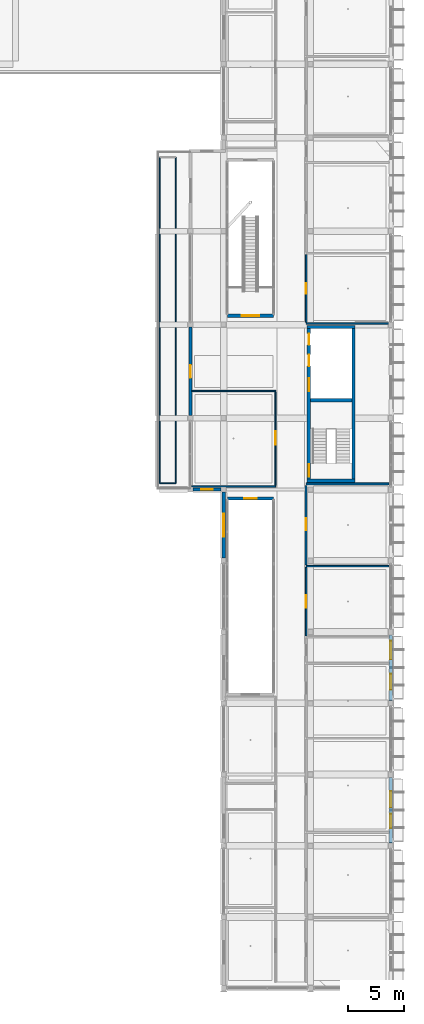
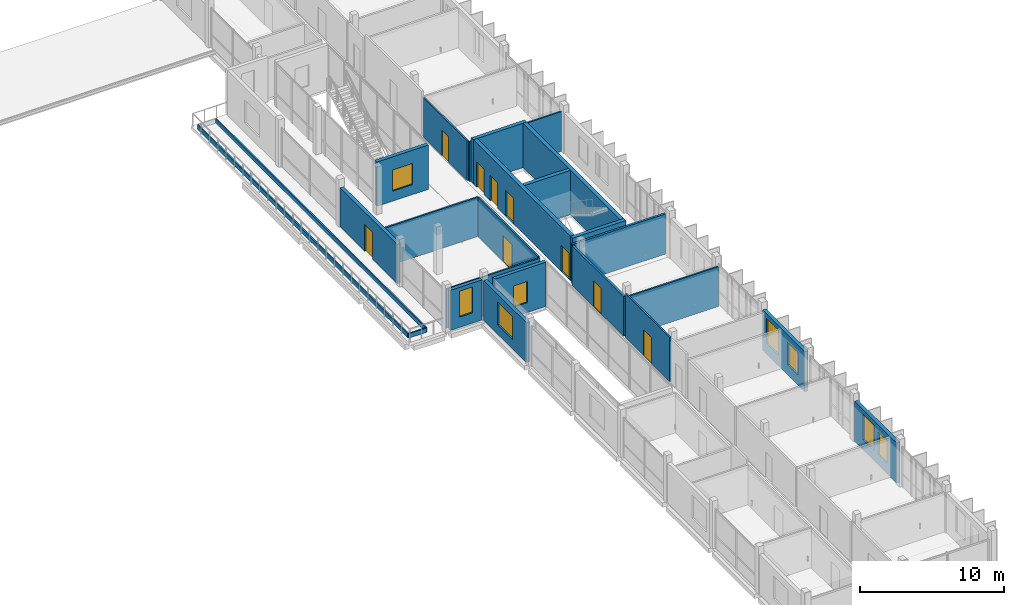
# One storey, part 60 of 86: 24 walls, 9 doors, 8 windows, 17 openings.
"""IFC4 building model written with IfcOpenShell, lengths in metres."""

import ifcopenshell
import ifcopenshell.guid

model = None  # the IFC model being written
_history = None  # IfcOwnerHistory: only IFC2X3 demands one
_inside = {}  # id of a spatial element -> (the spatial element, [elements in it])
_under = {}  # id of a project, library or spatial element -> (it, [spatial elements below it])
_declared = {}  # id of a project -> (the project, [libraries it declares])
_typed = {}  # id of a type object -> (the type object, [elements of that type])
_made_of = {}  # id of a material, layer set ... -> (it, [elements and type objects made of it])


def new_model(schema):
    """Start an empty IFC model of exactly this schema.

    Asked for "IFC4X3", IfcOpenShell would pick the latest addendum, in which some entities
    have other attributes; the version numbers below select the first issue.
    IFC2X3 requires an IfcOwnerHistory on every rooted entity: one is made here for all.
    """
    global model, _history
    if schema == "IFC4X3":
        model = ifcopenshell.file(schema_version=(4, 3, 0, 0))
    else:
        model = ifcopenshell.file(schema=schema)
    _inside.clear()
    _under.clear()
    _declared.clear()
    _typed.clear()
    _made_of.clear()
    _history = None
    if model.schema == "IFC2X3":
        org = make("IfcOrganization", Name="unknown")
        user = make(
            "IfcPersonAndOrganization",
            ThePerson=make("IfcPerson", FamilyName="unknown"),
            TheOrganization=org,
        )
        app = make(
            "IfcApplication",
            ApplicationDeveloper=org,
            Version="unknown",
            ApplicationFullName="unknown",
            ApplicationIdentifier="unknown",
        )
        _history = make(
            "IfcOwnerHistory",
            OwningUser=user,
            OwningApplication=app,
            ChangeAction="ADDED",
            CreationDate=0,
        )
    return model


def make(cls, **values):
    """One entity of the class cls with the attributes given. An attribute that is None is left unset."""
    return model.create_entity(
        cls, **{name: value for name, value in values.items() if value is not None}
    )


def rooted(cls, **values):
    """An entity with a GlobalId (a new one), such as an element, a storey or a relation."""
    return make(cls, GlobalId=ifcopenshell.guid.new(), OwnerHistory=_history, **values)


def si_unit(unit_type, name, prefix=None):
    """IfcSIUnit, for example si_unit("LENGTHUNIT", "METRE", prefix="MILLI")."""
    return make("IfcSIUnit", UnitType=unit_type, Prefix=prefix, Name=name)


def derived_unit(unit_type, elements):
    """IfcDerivedUnit: a product of units, each with its exponent."""
    return make(
        "IfcDerivedUnit",
        Elements=[
            make("IfcDerivedUnitElement", Unit=unit, Exponent=power)
            for unit, power in elements
        ],
        UnitType=unit_type,
    )


def assignment(units):
    """IfcUnitAssignment: the units of a project."""
    return None if units is None else make("IfcUnitAssignment", Units=units)


def point(xyz):
    """IfcCartesianPoint."""
    return None if xyz is None else make("IfcCartesianPoint", Coordinates=xyz)


def direction(xyz):
    """IfcDirection."""
    return None if xyz is None else make("IfcDirection", DirectionRatios=xyz)


def frame(location, z_axis=None, x_axis=None):
    """IfcAxis2Placement3D, a coordinate frame: its origin and axes. An axis left out is left unset."""
    return make(
        "IfcAxis2Placement3D",
        Location=point(location),
        Axis=direction(z_axis),
        RefDirection=direction(x_axis),
    )


def frame_2d(location, x_axis=None):
    """IfcAxis2Placement2D, a coordinate frame in the plane: its origin and x axis."""
    return make(
        "IfcAxis2Placement2D", Location=point(location), RefDirection=direction(x_axis)
    )


def origin():
    """The frame at (0, 0, 0) with its axes left unset."""
    return frame((0.0, 0.0, 0.0))


def origin_with_axes():
    """The frame at (0, 0, 0) with the z axis (0, 0, 1) and the x axis (1, 0, 0) written out."""
    return frame((0.0, 0.0, 0.0), z_axis=(0.0, 0.0, 1.0), x_axis=(1.0, 0.0, 0.0))


def place(relative_to, where):
    """IfcLocalPlacement: puts the frame where relative to a parent placement (None: the world)."""
    return make(
        "IfcLocalPlacement", PlacementRelTo=relative_to, RelativePlacement=where
    )


def context(
    kind, dimensions, precision=None, world=None, true_north=None, identifier=None
):
    """IfcGeometricRepresentationContext, for example the 3D "Model" context."""
    return make(
        "IfcGeometricRepresentationContext",
        ContextIdentifier=identifier,
        ContextType=kind,
        CoordinateSpaceDimension=dimensions,
        Precision=precision,
        WorldCoordinateSystem=world,
        TrueNorth=true_north,
    )


def subcontext(parent, identifier, kind, view, scale=None):
    """IfcGeometricRepresentationSubContext, for example "Body" below "Model"."""
    return make(
        "IfcGeometricRepresentationSubContext",
        ContextIdentifier=identifier,
        ContextType=kind,
        ParentContext=parent,
        TargetScale=scale,
        TargetView=view,
    )


def project(units=None, contexts=None):
    """IfcProject with its units and contexts."""
    return rooted(
        "IfcProject",
        Name="project",
        RepresentationContexts=contexts,
        UnitsInContext=assignment(units),
    )


def spatial(cls, under=None, at=None, **own):
    """A site, building, storey or space (cls), placed at a placement, below another one or the project."""
    s = rooted(cls, ObjectPlacement=at, **own)
    if under is not None:
        _under.setdefault(under.id(), (under, []))[1].append(s)
    return s


def profile(cls, at=None, kind="AREA", **sizes):
    """A parametric profile (cls). Its sizes go by their IFC names, for example OverallWidth=200.0."""
    return make(cls, ProfileType=kind, Position=at, **sizes)


def rectangle(**sizes):
    """IfcRectangleProfileDef."""
    return profile("IfcRectangleProfileDef", **sizes)


def extrude(swept, where, along, depth):
    """IfcExtrudedAreaSolid: the profile swept, set in the frame where, extruded along a direction by depth."""
    return make(
        "IfcExtrudedAreaSolid",
        SweptArea=swept,
        Position=where,
        ExtrudedDirection=direction(along),
        Depth=depth,
    )


def shape(context_of_items, identifier, shape_type, items):
    """IfcShapeRepresentation: the items that make up one representation, for example the "Body"."""
    return make(
        "IfcShapeRepresentation",
        ContextOfItems=context_of_items,
        RepresentationIdentifier=identifier,
        RepresentationType=shape_type,
        Items=items,
    )


def material(Name=None, Category=None):
    """IfcMaterial."""
    return make("IfcMaterial", Name=Name, Category=Category)


def layer(
    of_material, thickness, ventilated=None, Name=None, Category=None, Priority=None
):
    """IfcMaterialLayer: one layer of a wall or slab, of a material (None: an air gap)."""
    return make(
        "IfcMaterialLayer",
        Material=of_material,
        LayerThickness=thickness,
        IsVentilated=ventilated,
        Name=Name,
        Category=Category,
        Priority=Priority,
    )


def layer_set(layers, Name=None):
    """IfcMaterialLayerSet."""
    return make("IfcMaterialLayerSet", MaterialLayers=layers, LayerSetName=Name)


def made_of(thing, what):
    """Note that an element or type object is made of a material, layer set ...; save() writes the relation."""
    if what is not None:
        _made_of.setdefault(what.id(), (what, []))[1].append(thing)
    return thing


def type_object(cls, material=None, **own):
    """A type object (cls), such as IfcWallType, which elements share."""
    return made_of(rooted(cls, **own), material)


def element(
    cls,
    number,
    at=None,
    inside=None,
    cuts=None,
    type_object=None,
    material=None,
    context=None,
    identifier="Body",
    shape_type=None,
    held_by="IfcProductDefinitionShape",
    body=None,
    shapes=None,
    **own,
):
    """One element of the class cls, such as IfcWall. Its Tag is "e" and its number.

    at: its placement. inside: the storey or other place that contains it. cuts: it is an
    opening in that element (IfcRelVoidsElement). A single representation is given by context,
    identifier, shape_type and body (its items); several are given by shapes. held_by: the class
    of the entity that holds the representations. save() writes the other relations.
    """
    e = rooted(cls, Tag="e%d" % number, ObjectPlacement=at, **own)
    if body is not None:
        shapes = [shape(context, identifier, shape_type, body)]
    if shapes is not None:
        e.Representation = make(held_by, Representations=shapes)
    if inside is not None:
        _inside.setdefault(inside.id(), (inside, []))[1].append(e)
    if cuts is not None:
        rooted(
            "IfcRelVoidsElement", RelatingBuildingElement=cuts, RelatedOpeningElement=e
        )
    if type_object is not None:
        _typed.setdefault(type_object.id(), (type_object, []))[1].append(e)
    return made_of(e, material)


def fill(opening, filler):
    """IfcRelFillsElement: the door or window that sits in an opening."""
    return rooted(
        "IfcRelFillsElement",
        RelatingOpeningElement=opening,
        RelatedBuildingElement=filler,
    )


def aggregate(whole, parts):
    """IfcRelAggregates: a whole, such as a stair, and the parts it consists of."""
    return rooted("IfcRelAggregates", RelatingObject=whole, RelatedObjects=parts)


def save(model, path):
    """Write the relations noted so far, then the file.

    IfcRelAggregates (storeys below a building ...), IfcRelContainedInSpatialStructure (elements
    in a storey), IfcRelDefinesByType, IfcRelAssociatesMaterial and IfcRelDeclares: one each for
    every whole, place, type object, material and project.
    """
    for whole, parts in _under.values():
        aggregate(whole, parts)
    for where, things in _inside.values():
        rooted(
            "IfcRelContainedInSpatialStructure",
            RelatedElements=things,
            RelatingStructure=where,
        )
    for kind, things in _typed.values():
        rooted("IfcRelDefinesByType", RelatedObjects=things, RelatingType=kind)
    for what, things in _made_of.values():
        rooted("IfcRelAssociatesMaterial", RelatedObjects=things, RelatingMaterial=what)
    for by, libraries in _declared.values():
        rooted("IfcRelDeclares", RelatingContext=by, RelatedDefinitions=libraries)
    model.write(path)


model = new_model("IFC4")

# Units and contexts
model_context = context("Model", 3, precision=1e-05, world=origin(), true_north=direction((0.0, 1.0)))
body_context = subcontext(model_context, "Body", "Model", "MODEL_VIEW")
ifc_project = project(units=[si_unit("LENGTHUNIT", "METRE"), si_unit("AREAUNIT", "SQUARE_METRE"), si_unit("VOLUMEUNIT", "CUBIC_METRE"), si_unit("PLANEANGLEUNIT", "RADIAN"), si_unit("MASSUNIT", "GRAM", prefix="KILO"), derived_unit("THERMALTRANSMITTANCEUNIT", [(si_unit("POWERUNIT", "WATT"), 1), (si_unit("LENGTHUNIT", "METRE"), -2), (si_unit("THERMODYNAMICTEMPERATUREUNIT", "KELVIN"), -1)])], contexts=[model_context])

# Site, building, storey
site_placement = place(None, origin())
site = spatial("IfcSite", under=ifc_project, at=site_placement, CompositionType="ELEMENT")
building_placement = place(site_placement, origin())
building = spatial("IfcBuilding", under=site, at=building_placement, Name="Braskholm Square Health Centre", CompositionType="ELEMENT")
storey_placement = place(building_placement, frame((0.0, 0.0, 13.5)))
storey = spatial("IfcBuildingStorey", under=building, at=storey_placement, Name="L04", CompositionType="ELEMENT", Elevation=13.5)

# Wall, opening, door
ifc_material_1 = material(Name="Fire-rated gypsum board barrier")
ifc_layer_1 = layer(ifc_material_1, 0.175048828125)
ifc_layer_set_1 = layer_set([ifc_layer_1], Name="Fire-rated gypsum board barrier")
wall_type_1 = type_object("IfcWallType", Name="AmbulatoryFirePartition175", PredefinedType="PARTITIONING", material=ifc_layer_set_1)
wall_1_placement = place(storey_placement, frame((156.199951171875, 42.239990234375, 0.0), z_axis=(0.0, 0.0, 1.0), x_axis=(0.0, 1.0, 0.0)))
wall_1 = element("IfcWall", 1, at=wall_1_placement, inside=storey, type_object=wall_type_1, Name="Interior partition PWALL-L04-0437", PredefinedType="PARTITIONING", context=body_context, shape_type="SweptSolid", body=[
    extrude(rectangle(XDim=7.139892578125, YDim=0.175048828125, at=frame_2d((3.56982421875, 0.0))), origin(), (0.0, 0.0, 1.0), 3.364990234375),
])
opening_1_placement = place(wall_1_placement, frame((3.114990234375, 0.0, 0.0)))
opening_1 = element("IfcOpeningElement", 2, at=opening_1_placement, cuts=wall_1, Name="Opening D-18", PredefinedType="OPENING", context=body_context, shape_type="SweptSolid", body=[
    extrude(rectangle(XDim=1.06005859375, YDim=2.199951171875, at=frame_2d((0.530029296875, 1.10009765625))), frame((0.0, 0.09765625, 0.0), z_axis=(0.0, -1.0, 0.0), x_axis=(1.0, 0.0, 0.0)), (0.0, 0.0, 1.0), 0.195068359375),
])
ifc_material_2 = material(Name="Architectural bronze anodised aluminium", Category="aluminium")
door_type_1 = type_object("IfcDoorType", Name="DoorFirePartitionSingle1060x2200", OperationType="NOTDEFINED", PredefinedType="DOOR", material=ifc_material_2)
door_1_placement = place(opening_1_placement, frame((1.06005859375, 0.0, 0.0), z_axis=(0.0, 0.0, 1.0), x_axis=(-1.0, 0.0, 0.0)))
door_1 = element("IfcDoor", 3, at=door_1_placement, inside=storey, type_object=door_type_1, Name="Interior door 0206 L04", OperationType="SINGLE_SWING_RIGHT", OverallHeight=2.199951171875, OverallWidth=1.06005859375, PredefinedType="DOOR", context=body_context, shape_type="SweptSolid", body=[
    extrude(rectangle(XDim=1.06005859375, YDim=2.199951171875, at=frame_2d((0.530029296875, 1.10009765625))), frame((0.0, 0.02490234375, 0.0), z_axis=(0.0, -1.0, 0.0), x_axis=(1.0, 0.0, 0.0)), (0.0, 0.0, 1.0), 0.050048828125),
])
fill(opening_1, door_1)

# Wall
wall_2_placement = place(storey_placement, frame((156.199951171875, 49.5, 0.0), z_axis=(0.0, 0.0, 1.0), x_axis=(1.0, 0.0, 0.0)))
element("IfcWall", 4, at=wall_2_placement, inside=storey, type_object=wall_type_1, Name="Interior partition PWALL-L04-0438", PredefinedType="PARTITIONING", context=body_context, shape_type="SweptSolid", body=[
    extrude(rectangle(XDim=7.4599609375, YDim=0.175048828125, at=frame_2d((3.72998046875, 0.0))), origin(), (0.0, 0.0, 1.0), 3.4150390625),
])

# Wall, opening, door
ifc_material_3 = material(Name="Acoustic gypsum board partition")
ifc_layer_2 = layer(ifc_material_3, 0.125)
ifc_layer_set_2 = layer_set([ifc_layer_2], Name="Acoustic gypsum board partition")
wall_type_2 = type_object("IfcWallType", Name="ClinicalExamPartition125", PredefinedType="PARTITIONING", material=ifc_layer_set_2)
wall_3_placement = place(storey_placement, frame((156.199951171875, 35.860107421875, 0.0), z_axis=(0.0, 0.0, 1.0), x_axis=(0.0, 1.0, 0.0)))
wall_3 = element("IfcWall", 5, at=wall_3_placement, inside=storey, type_object=wall_type_2, Name="Interior partition PWALL-L04-0435", PredefinedType="PARTITIONING", context=body_context, shape_type="SweptSolid", body=[
    extrude(rectangle(XDim=6.139892578125, YDim=0.125, at=frame_2d((3.06982421875, 0.0))), origin(), (0.0, 0.0, 1.0), 3.764892578125),
])
opening_2_placement = place(wall_3_placement, frame((2.510009765625, 0.0, 0.0)))
opening_2 = element("IfcOpeningElement", 6, at=opening_2_placement, cuts=wall_3, Name="Opening D-03", PredefinedType="OPENING", context=body_context, shape_type="SweptSolid", body=[
    extrude(rectangle(XDim=1.1201171875, YDim=2.199951171875, at=frame_2d((0.56005859375, 1.10009765625))), frame((0.0, 0.072509765625, 0.0), z_axis=(0.0, -1.0, 0.0), x_axis=(1.0, 0.0, 0.0)), (0.0, 0.0, 1.0), 0.14501953125),
])
door_type_2 = type_object("IfcDoorType", Name="DoorProcedure1120x2200", OperationType="NOTDEFINED", PredefinedType="DOOR", material=ifc_material_2)
door_2_placement = place(opening_2_placement, frame((1.1201171875, 0.0, 0.0), z_axis=(0.0, 0.0, 1.0), x_axis=(-1.0, 0.0, 0.0)))
door_2 = element("IfcDoor", 7, at=door_2_placement, inside=storey, type_object=door_type_2, Name="Interior door 0205 L04", OperationType="SINGLE_SWING_LEFT", OverallHeight=2.199951171875, OverallWidth=1.1201171875, PredefinedType="DOOR", context=body_context, shape_type="SweptSolid", body=[
    extrude(rectangle(XDim=1.1201171875, YDim=2.199951171875, at=frame_2d((0.56005859375, 1.10009765625))), frame((0.0, 0.02490234375, 0.0), z_axis=(0.0, -1.0, 0.0), x_axis=(1.0, 0.0, 0.0)), (0.0, 0.0, 1.0), 0.050048828125),
])
fill(opening_2, door_2)

# Wall
wall_4_placement = place(storey_placement, frame((156.199951171875, 42.1201171875, 0.0), z_axis=(0.0, 0.0, 1.0), x_axis=(1.0, 0.0, 0.0)))
element("IfcWall", 8, at=wall_4_placement, inside=storey, type_object=wall_type_2, Name="Interior partition PWALL-L04-0436", PredefinedType="PARTITIONING", context=body_context, shape_type="SweptSolid", body=[
    extrude(rectangle(XDim=7.4599609375, YDim=0.125, at=frame_2d((3.72998046875, 0.0))), origin(), (0.0, 0.0, 1.0), 3.385009765625),
])

# Wall, opening, door
wall_5_placement = place(storey_placement, frame((156.199951171875, 64.02001953125, 0.0), z_axis=(0.0, 0.0, 1.0), x_axis=(0.0, 1.0, 0.0)))
wall_5 = element("IfcWall", 9, at=wall_5_placement, inside=storey, type_object=wall_type_2, Name="Interior partition PWALL-L04-0439", PredefinedType="PARTITIONING", context=body_context, shape_type="SweptSolid", body=[
    extrude(rectangle(XDim=6.080078125, YDim=0.125, at=frame_2d((3.0400390625, 0.0))), origin(), (0.0, 0.0, 1.0), 3.364990234375),
])
opening_3_placement = place(wall_5_placement, frame((2.580078125, 0.0, 0.0)))
opening_3 = element("IfcOpeningElement", 10, at=opening_3_placement, cuts=wall_5, Name="Opening D-01", PredefinedType="OPENING", context=body_context, shape_type="SweptSolid", body=[
    extrude(rectangle(XDim=0.919921875, YDim=2.14990234375, at=frame_2d((0.4599609375, 1.074951171875))), frame((0.0, 0.072509765625, 0.0), z_axis=(0.0, -1.0, 0.0), x_axis=(1.0, 0.0, 0.0)), (0.0, 0.0, 1.0), 0.14501953125),
])
door_type_3 = type_object("IfcDoorType", Name="DoorConsultSingle920x2150", OperationType="NOTDEFINED", PredefinedType="DOOR", material=ifc_material_2)
door_3_placement = place(opening_3_placement, frame((0.919921875, 0.0, 0.0), z_axis=(0.0, 0.0, 1.0), x_axis=(-1.0, 0.0, 0.0)))
door_3 = element("IfcDoor", 11, at=door_3_placement, inside=storey, type_object=door_type_3, Name="Interior door 0207 L04", OperationType="SINGLE_SWING_LEFT", OverallHeight=2.14990234375, OverallWidth=0.919921875, PredefinedType="DOOR", context=body_context, shape_type="SweptSolid", body=[
    extrude(rectangle(XDim=0.919921875, YDim=2.14990234375, at=frame_2d((0.4599609375, 1.074951171875))), frame((0.0, 0.02490234375, 0.0), z_axis=(0.0, -1.0, 0.0), x_axis=(1.0, 0.0, 0.0)), (0.0, 0.0, 1.0), 0.050048828125),
])
fill(opening_3, door_3)

# Wall
wall_6_placement = place(storey_placement, frame((156.199951171875, 63.89990234375, 0.0), z_axis=(0.0, 0.0, 1.0), x_axis=(1.0, 0.0, 0.0)))
element("IfcWall", 12, at=wall_6_placement, inside=storey, type_object=wall_type_2, Name="Interior partition PWALL-L04-0440", PredefinedType="PARTITIONING", context=body_context, shape_type="SweptSolid", body=[
    extrude(rectangle(XDim=7.4599609375, YDim=0.125, at=frame_2d((3.72998046875, 0.0))), origin(), (0.0, 0.0, 1.0), 3.364990234375),
])

# Wall, opening, door
wall_7_placement = place(storey_placement, frame((153.449951171875, 49.39990234375, 0.0), z_axis=(0.0, 0.0, 1.0), x_axis=(0.0, 1.0, 0.0)))
wall_7 = element("IfcWall", 13, at=wall_7_placement, inside=storey, type_object=wall_type_2, Name="Interior partition PWALL-L04-0463", PredefinedType="PARTITIONING", context=body_context, shape_type="SweptSolid", body=[
    extrude(rectangle(XDim=8.330078125, YDim=0.125, at=frame_2d((4.1650390625, 0.0))), origin(), (0.0, 0.0, 1.0), 3.364990234375),
])
opening_4_placement = place(wall_7_placement, frame((3.632080078125, 0.0, 0.0)))
opening_4 = element("IfcOpeningElement", 14, at=opening_4_placement, cuts=wall_7, Name="Opening D-04", PredefinedType="OPENING", context=body_context, shape_type="SweptSolid", body=[
    extrude(rectangle(XDim=1.219970703125, YDim=2.199951171875, at=frame_2d((0.60986328125, 1.10009765625))), frame((0.0, 0.072509765625, 0.0), z_axis=(0.0, -1.0, 0.0), x_axis=(1.0, 0.0, 0.0)), (0.0, 0.0, 1.0), 0.14501953125),
])
door_type_4 = type_object("IfcDoorType", Name="DoorBariatricExam1220x2200", OperationType="NOTDEFINED", PredefinedType="DOOR", material=ifc_material_2)
door_4_placement = place(opening_4_placement, origin_with_axes())
door_4 = element("IfcDoor", 15, at=door_4_placement, inside=storey, type_object=door_type_4, Name="Interior door 0219 L04", OperationType="SINGLE_SWING_LEFT", OverallHeight=2.199951171875, OverallWidth=1.219970703125, PredefinedType="DOOR", context=body_context, shape_type="SweptSolid", body=[
    extrude(rectangle(XDim=1.219970703125, YDim=2.199951171875, at=frame_2d((0.60986328125, 1.10009765625))), frame((0.0, 0.02490234375, 0.0), z_axis=(0.0, -1.0, 0.0), x_axis=(1.0, 0.0, 0.0)), (0.0, 0.0, 1.0), 0.050048828125),
])
fill(opening_4, door_4)

# Walls
for number, where, z_axis, x_axis, name in (
    (16, (145.93994140625, 49.280029296875, 0.0), (0.0, 0.0, 1.0), (1.0, 0.0, 0.0), "Interior partition PWALL-L04-0464"),
    (17, (145.93994140625, 57.85009765625, 0.0), (0.0, 0.0, 1.0), (1.0, 0.0, 0.0), "Interior partition PWALL-L04-0465"),
):
    element("IfcWall", number, at=place(storey_placement, frame(where, z_axis=z_axis, x_axis=x_axis)), inside=storey, type_object=wall_type_2, Name=name, PredefinedType="PARTITIONING", context=body_context, shape_type="SweptSolid", body=[
        extrude(rectangle(XDim=7.510009765625, YDim=0.125, at=frame_2d((3.7548828125, 0.0))), origin(), (0.0, 0.0, 1.0), 3.3349609375),
    ])

# Wall, openings, windows
ifc_material_4 = material(Name="Precast concrete C40/50 architectural white", Category="concrete")
ifc_layer_3 = layer(ifc_material_4, 0.280029296875)
ifc_layer_set_3 = layer_set([ifc_layer_3], Name="Precast concrete C40/50 architectural white")
wall_type_3 = type_object("IfcWallType", Name="ExteriorPrecastSpandrelWall280", PredefinedType="SOLIDWALL", material=ifc_layer_set_3)
wall_8_placement = place(storey_placement, frame((163.800048828125, 17.261962890625, 0.0), z_axis=(0.0, 0.0, 1.0), x_axis=(0.0, 1.0, 0.0)))
wall_8 = element("IfcWall", 18, at=wall_8_placement, inside=storey, type_object=wall_type_3, Name="Exterior wall EWALL-L04-0079", PredefinedType="SOLIDWALL", context=body_context, shape_type="SweptSolid", body=[
    extrude(rectangle(XDim=5.8759765625, YDim=0.280029296875, at=frame_2d((2.93798828125, 0.0))), origin(), (0.0, 0.0, 1.0), 3.419921875),
])
opening_5_placement = place(wall_8_placement, frame((1.319091796875, 0.0, 0.8798828125)))
opening_5 = element("IfcOpeningElement", 19, at=opening_5_placement, cuts=wall_8, Name="Opening WN-35", PredefinedType="OPENING", context=body_context, shape_type="SweptSolid", body=[
    extrude(rectangle(XDim=1.280029296875, YDim=1.949951171875, at=frame_2d((0.64013671875, 0.97509765625))), frame((0.0, 0.14990234375, 0.0), z_axis=(0.0, -1.0, 0.0), x_axis=(1.0, 0.0, 0.0)), (0.0, 0.0, 1.0), 0.300048828125),
])
opening_6_placement = place(wall_8_placement, frame((3.177001953125, 0.0, 0.8798828125)))
opening_6 = element("IfcOpeningElement", 20, at=opening_6_placement, cuts=wall_8, Name="Opening WN-40", PredefinedType="OPENING", context=body_context, shape_type="SweptSolid", body=[
    extrude(rectangle(XDim=1.47998046875, YDim=2.14990234375, at=frame_2d((0.739990234375, 1.074951171875))), frame((0.0, 0.14990234375, 0.0), z_axis=(0.0, -1.0, 0.0), x_axis=(1.0, 0.0, 0.0)), (0.0, 0.0, 1.0), 0.300048828125),
])
ifc_material_5 = material(Name="Low-E triple insulating glass (VLT 0.64)", Category="glass")
window_type_1 = type_object("IfcWindowType", Name="WinArtDecoMed1280x1950", PartitioningType="SINGLE_PANEL", PredefinedType="WINDOW", material=ifc_material_5)
window_1_placement = place(opening_5_placement, origin_with_axes())
window_1 = element("IfcWindow", 21, at=window_1_placement, inside=storey, type_object=window_type_1, Name="Exterior window 0139 L04", OverallHeight=1.949951171875, OverallWidth=1.280029296875, PartitioningType="SINGLE_PANEL", PredefinedType="WINDOW", context=body_context, shape_type="SweptSolid", body=[
    extrude(rectangle(XDim=1.280029296875, YDim=1.949951171875, at=frame_2d((0.64013671875, 0.97509765625))), frame((0.0, 0.030029296875, 0.0), z_axis=(0.0, -1.0, 0.0), x_axis=(1.0, 0.0, 0.0)), (0.0, 0.0, 1.0), 0.06005859375),
])
fill(opening_5, window_1)
window_type_2 = type_object("IfcWindowType", Name="WinArtDecoTall1480x2150", PartitioningType="SINGLE_PANEL", PredefinedType="WINDOW", material=ifc_material_5)
window_2_placement = place(opening_6_placement, origin_with_axes())
window_2 = element("IfcWindow", 22, at=window_2_placement, inside=storey, type_object=window_type_2, Name="Exterior window 0140 L04", OverallHeight=2.14990234375, OverallWidth=1.47998046875, PartitioningType="SINGLE_PANEL", PredefinedType="WINDOW", context=body_context, shape_type="SweptSolid", body=[
    extrude(rectangle(XDim=1.47998046875, YDim=2.14990234375, at=frame_2d((0.739990234375, 1.074951171875))), frame((0.0, 0.030029296875, 0.0), z_axis=(0.0, -1.0, 0.0), x_axis=(1.0, 0.0, 0.0)), (0.0, 0.0, 1.0), 0.06005859375),
])
fill(opening_6, window_2)

wall_9_placement = place(storey_placement, frame((163.800048828125, 30.06201171875, 0.0), z_axis=(0.0, 0.0, 1.0), x_axis=(0.0, 1.0, 0.0)))
wall_9 = element("IfcWall", 23, at=wall_9_placement, inside=storey, type_object=wall_type_3, Name="Exterior wall EWALL-L04-0080", PredefinedType="SOLIDWALL", context=body_context, shape_type="SweptSolid", body=[
    extrude(rectangle(XDim=5.8759765625, YDim=0.280029296875, at=frame_2d((2.93798828125, 0.0))), origin(), (0.0, 0.0, 1.0), 3.419921875),
])
opening_7_placement = place(wall_9_placement, frame((0.967041015625, 0.0, 0.8798828125)))
opening_7 = element("IfcOpeningElement", 24, at=opening_7_placement, cuts=wall_9, Name="Opening WN-36", PredefinedType="OPENING", context=body_context, shape_type="SweptSolid", body=[
    extrude(rectangle(XDim=1.419921875, YDim=1.89990234375, at=frame_2d((0.7099609375, 0.949951171875))), frame((0.0, 0.14990234375, 0.0), z_axis=(0.0, -1.0, 0.0), x_axis=(1.0, 0.0, 0.0)), (0.0, 0.0, 1.0), 0.300048828125),
])
opening_8_placement = place(wall_9_placement, frame((3.673095703125, 0.0, 0.8798828125)))
opening_8 = element("IfcOpeningElement", 25, at=opening_8_placement, cuts=wall_9, Name="Opening WN-41", PredefinedType="OPENING", context=body_context, shape_type="SweptSolid", body=[
    extrude(rectangle(XDim=1.659912109375, YDim=2.14990234375, at=frame_2d((0.830078125, 1.074951171875))), frame((0.0, 0.14990234375, 0.0), z_axis=(0.0, -1.0, 0.0), x_axis=(1.0, 0.0, 0.0)), (0.0, 0.0, 1.0), 0.300048828125),
])
window_type_3 = type_object("IfcWindowType", Name="WinArtDecoMed1420x1900", PartitioningType="SINGLE_PANEL", PredefinedType="WINDOW", material=ifc_material_5)
window_3_placement = place(opening_7_placement, origin_with_axes())
window_3 = element("IfcWindow", 26, at=window_3_placement, inside=storey, type_object=window_type_3, Name="Exterior window 0141 L04", OverallHeight=1.89990234375, OverallWidth=1.419921875, PartitioningType="SINGLE_PANEL", PredefinedType="WINDOW", context=body_context, shape_type="SweptSolid", body=[
    extrude(rectangle(XDim=1.419921875, YDim=1.89990234375, at=frame_2d((0.7099609375, 0.949951171875))), frame((0.0, 0.030029296875, 0.0), z_axis=(0.0, -1.0, 0.0), x_axis=(1.0, 0.0, 0.0)), (0.0, 0.0, 1.0), 0.06005859375),
])
fill(opening_7, window_3)
window_type_4 = type_object("IfcWindowType", Name="WinArtDecoTall1660x2150", PartitioningType="SINGLE_PANEL", PredefinedType="WINDOW", material=ifc_material_5)
window_4_placement = place(opening_8_placement, origin_with_axes())
window_4 = element("IfcWindow", 27, at=window_4_placement, inside=storey, type_object=window_type_4, Name="Exterior window 0142 L04", OverallHeight=2.14990234375, OverallWidth=1.659912109375, PartitioningType="SINGLE_PANEL", PredefinedType="WINDOW", context=body_context, shape_type="SweptSolid", body=[
    extrude(rectangle(XDim=1.659912109375, YDim=2.14990234375, at=frame_2d((0.830078125, 1.074951171875))), frame((0.0, 0.030029296875, 0.0), z_axis=(0.0, -1.0, 0.0), x_axis=(1.0, 0.0, 0.0)), (0.0, 0.0, 1.0), 0.06005859375),
])
fill(opening_8, window_4)

# Wall, opening, window
wall_10_placement = place(storey_placement, frame((148.800048828125, 48.77294921875, 0.0), z_axis=(0.0, 0.0, 1.0), x_axis=(0.0, -1.0, 0.0)))
wall_10 = element("IfcWall", 28, at=wall_10_placement, inside=storey, type_object=wall_type_3, Name="Exterior wall EWALL-L04-0195", PredefinedType="SOLIDWALL", context=body_context, shape_type="SweptSolid", body=[
    extrude(rectangle(XDim=5.946044921875, YDim=0.280029296875, at=frame_2d((2.97314453125, 0.0))), origin(), (0.0, 0.0, 1.0), 3.389892578125),
])
opening_9_placement = place(wall_10_placement, frame((1.947998046875, 0.0, 0.800048828125)))
opening_9 = element("IfcOpeningElement", 29, at=opening_9_placement, cuts=wall_10, Name="Opening WN-25", PredefinedType="OPENING", context=body_context, shape_type="SweptSolid", body=[
    extrude(rectangle(XDim=2.050048828125, YDim=1.949951171875, at=frame_2d((1.02490234375, 0.97509765625))), frame((0.0, 0.14990234375, 0.0), z_axis=(0.0, -1.0, 0.0), x_axis=(1.0, 0.0, 0.0)), (0.0, 0.0, 1.0), 0.300048828125),
])
window_type_5 = type_object("IfcWindowType", Name="WinValleyTerrace2050x1950", PartitioningType="SINGLE_PANEL", PredefinedType="WINDOW", material=ifc_material_5)
window_5_placement = place(opening_9_placement, origin_with_axes())
window_5 = element("IfcWindow", 30, at=window_5_placement, inside=storey, type_object=window_type_5, Name="Exterior window 0249 L04", OverallHeight=1.949951171875, OverallWidth=2.050048828125, PartitioningType="SINGLE_PANEL", PredefinedType="WINDOW", context=body_context, shape_type="SweptSolid", body=[
    extrude(rectangle(XDim=2.050048828125, YDim=1.949951171875, at=frame_2d((1.02490234375, 0.97509765625))), frame((0.0, 0.030029296875, 0.0), z_axis=(0.0, -1.0, 0.0), x_axis=(1.0, 0.0, 0.0)), (0.0, 0.0, 1.0), 0.06005859375),
])
fill(opening_9, window_5)

# Wall, opening, door
wall_11_placement = place(storey_placement, frame((145.800048828125, 63.572998046875, 0.0), z_axis=(0.0, 0.0, 1.0), x_axis=(0.0, -1.0, 0.0)))
wall_11 = element("IfcWall", 31, at=wall_11_placement, inside=storey, type_object=wall_type_3, Name="Exterior wall EWALL-L04-0196", PredefinedType="SOLIDWALL", context=body_context, shape_type="SweptSolid", body=[
    extrude(rectangle(XDim=7.946044921875, YDim=0.280029296875, at=frame_2d((3.97314453125, 0.0))), origin(), (0.0, 0.0, 1.0), 3.340087890625),
])
opening_10_placement = place(wall_11_placement, frame((3.403076171875, 0.0, 0.0)))
opening_10 = element("IfcOpeningElement", 32, at=opening_10_placement, cuts=wall_11, Name="Opening D-T1", PredefinedType="OPENING", context=body_context, shape_type="SweptSolid", body=[
    extrude(rectangle(XDim=1.139892578125, YDim=2.300048828125, at=frame_2d((0.56982421875, 1.14990234375))), frame((0.0, 0.14990234375, 0.0), z_axis=(0.0, -1.0, 0.0), x_axis=(1.0, 0.0, 0.0)), (0.0, 0.0, 1.0), 0.300048828125),
])
door_type_5 = type_object("IfcDoorType", Name="DoorPlantedTerrace1140x2300", OperationType="NOTDEFINED", PredefinedType="DOOR", material=ifc_material_5)
door_5_placement = place(opening_10_placement, frame((1.139892578125, 0.0, 0.0), z_axis=(0.0, 0.0, 1.0), x_axis=(-1.0, 0.0, 0.0)))
door_5 = element("IfcDoor", 33, at=door_5_placement, inside=storey, type_object=door_type_5, Name="Exterior door 0031 L04", OperationType="SINGLE_SWING_RIGHT", OverallHeight=2.300048828125, OverallWidth=1.139892578125, PredefinedType="DOOR", context=body_context, shape_type="SweptSolid", body=[
    extrude(rectangle(XDim=1.139892578125, YDim=2.300048828125, at=frame_2d((0.56982421875, 1.14990234375))), frame((0.0, 0.02490234375, 0.0), z_axis=(0.0, -1.0, 0.0), x_axis=(1.0, 0.0, 0.0)), (0.0, 0.0, 1.0), 0.050048828125),
])
fill(opening_10, door_5)

# Wall, opening, window
wall_12_placement = place(storey_placement, frame((146.027099609375, 49.0, 0.0), z_axis=(0.0, 0.0, 1.0), x_axis=(1.0, 0.0, 0.0)))
wall_12 = element("IfcWall", 34, at=wall_12_placement, inside=storey, type_object=wall_type_3, Name="Exterior wall EWALL-L04-0218", PredefinedType="SOLIDWALL", context=body_context, shape_type="SweptSolid", body=[
    extrude(rectangle(XDim=2.5458984375, YDim=0.280029296875, at=frame_2d((1.27294921875, 0.0))), origin(), (0.0, 0.0, 1.0), 3.409912109375),
])
opening_11_placement = place(wall_12_placement, frame((0.748046875, 0.0, 0.8798828125)))
opening_11 = element("IfcOpeningElement", 35, at=opening_11_placement, cuts=wall_12, Name="Opening WN-02", PredefinedType="OPENING", context=body_context, shape_type="SweptSolid", body=[
    extrude(rectangle(XDim=1.050048828125, YDim=2.199951171875, at=frame_2d((0.52490234375, 1.10009765625))), frame((0.0, 0.14990234375, 0.0), z_axis=(0.0, -1.0, 0.0), x_axis=(1.0, 0.0, 0.0)), (0.0, 0.0, 1.0), 0.300048828125),
])
window_type_6 = type_object("IfcWindowType", Name="WinArtDecoLancet1050x2200", PartitioningType="SINGLE_PANEL", PredefinedType="WINDOW", material=ifc_material_5)
window_6_placement = place(opening_11_placement, origin_with_axes())
window_6 = element("IfcWindow", 36, at=window_6_placement, inside=storey, type_object=window_type_6, Name="Exterior window 0269 L04", OverallHeight=2.199951171875, OverallWidth=1.050048828125, PartitioningType="SINGLE_PANEL", PredefinedType="WINDOW", context=body_context, shape_type="SweptSolid", body=[
    extrude(rectangle(XDim=1.050048828125, YDim=2.199951171875, at=frame_2d((0.52490234375, 1.10009765625))), frame((0.0, 0.030029296875, 0.0), z_axis=(0.0, -1.0, 0.0), x_axis=(1.0, 0.0, 0.0)), (0.0, 0.0, 1.0), 0.06005859375),
])
fill(opening_11, window_6)

wall_13_placement = place(storey_placement, frame((149.134033203125, 48.199951171875, 0.0), z_axis=(0.0, 0.0, 1.0), x_axis=(1.0, 0.0, 0.0)))
wall_13 = element("IfcWall", 37, at=wall_13_placement, inside=storey, type_object=wall_type_3, Name="Exterior wall EWALL-L04-0314", PredefinedType="SOLIDWALL", context=body_context, shape_type="SweptSolid", body=[
    extrude(rectangle(XDim=4.132080078125, YDim=0.280029296875, at=frame_2d((2.06591796875, 0.0))), origin(), (0.0, 0.0, 1.0), 3.77001953125),
])
opening_12_placement = place(wall_13_placement, frame((1.51611328125, 0.0, 0.85009765625)))
opening_12 = element("IfcOpeningElement", 38, at=opening_12_placement, cuts=wall_13, Name="Opening WN-26", PredefinedType="OPENING", context=body_context, shape_type="SweptSolid", body=[
    extrude(rectangle(XDim=1.10009765625, YDim=1.800048828125, at=frame_2d((0.550048828125, 0.89990234375))), frame((0.0, 0.14990234375, 0.0), z_axis=(0.0, -1.0, 0.0), x_axis=(1.0, 0.0, 0.0)), (0.0, 0.0, 1.0), 0.300048828125),
])
window_type_7 = type_object("IfcWindowType", Name="WinLightCourt1100x1800", PartitioningType="SINGLE_PANEL", PredefinedType="WINDOW", material=ifc_material_5)
window_7_placement = place(opening_12_placement, origin_with_axes())
window_7 = element("IfcWindow", 39, at=window_7_placement, inside=storey, type_object=window_type_7, Name="Exterior window 0360 L04", OverallHeight=1.800048828125, OverallWidth=1.10009765625, PartitioningType="SINGLE_PANEL", PredefinedType="WINDOW", context=body_context, shape_type="SweptSolid", body=[
    extrude(rectangle(XDim=1.10009765625, YDim=1.800048828125, at=frame_2d((0.550048828125, 0.89990234375))), frame((0.0, 0.030029296875, 0.0), z_axis=(0.0, -1.0, 0.0), x_axis=(1.0, 0.0, 0.0)), (0.0, 0.0, 1.0), 0.06005859375),
])
fill(opening_12, window_7)

wall_14_placement = place(storey_placement, frame((153.26611328125, 64.60009765625, 0.0), z_axis=(0.0, 0.0, 1.0), x_axis=(-1.0, 0.0, 0.0)))
wall_14 = element("IfcWall", 40, at=wall_14_placement, inside=storey, type_object=wall_type_3, Name="Exterior wall EWALL-L04-0323", PredefinedType="SOLIDWALL", context=body_context, shape_type="SweptSolid", body=[
    extrude(rectangle(XDim=4.132080078125, YDim=0.280029296875, at=frame_2d((2.06591796875, 0.0))), origin(), (0.0, 0.0, 1.0), 3.77001953125),
])
opening_13_placement = place(wall_14_placement, frame((1.26611328125, 0.0, 0.85009765625)))
opening_13 = element("IfcOpeningElement", 41, at=opening_13_placement, cuts=wall_14, Name="Opening WN-27", PredefinedType="OPENING", context=body_context, shape_type="SweptSolid", body=[
    extrude(rectangle(XDim=1.60009765625, YDim=1.800048828125, at=frame_2d((0.800048828125, 0.89990234375))), frame((0.0, 0.14990234375, 0.0), z_axis=(0.0, -1.0, 0.0), x_axis=(1.0, 0.0, 0.0)), (0.0, 0.0, 1.0), 0.300048828125),
])
window_type_8 = type_object("IfcWindowType", Name="WinLightCourt1600x1800", PartitioningType="SINGLE_PANEL", PredefinedType="WINDOW", material=ifc_material_5)
window_8_placement = place(opening_13_placement, origin_with_axes())
window_8 = element("IfcWindow", 42, at=window_8_placement, inside=storey, type_object=window_type_8, Name="Exterior window 0369 L04", OverallHeight=1.800048828125, OverallWidth=1.60009765625, PartitioningType="SINGLE_PANEL", PredefinedType="WINDOW", context=body_context, shape_type="SweptSolid", body=[
    extrude(rectangle(XDim=1.60009765625, YDim=1.800048828125, at=frame_2d((0.800048828125, 0.89990234375))), frame((0.0, 0.030029296875, 0.0), z_axis=(0.0, -1.0, 0.0), x_axis=(1.0, 0.0, 0.0)), (0.0, 0.0, 1.0), 0.06005859375),
])
fill(opening_13, window_8)

# Walls
ifc_material_6 = material(Name="Concrete C40/50 (f'c = 40 MPa)", Category="concrete")
ifc_layer_4 = layer(ifc_material_6, 0.300048828125)
ifc_layer_set_4 = layer_set([ifc_layer_4], Name="Concrete C40/50 (f'c = 40 MPa)")
wall_type_4 = type_object("IfcWallType", Name="ShearCoreWall300", PredefinedType="SHEAR", material=ifc_layer_set_4)
for number, where, z_axis, x_axis, name in (
    (43, (156.300048828125, 49.800048828125, 0.0), (0.0, 0.0, 1.0), (1.0, 0.0, 0.0), "CWALL-K4-L04 south wall"),
    (44, (160.60009765625, 63.60009765625, 0.0), (0.0, 0.0, 1.0), (-1.0, 0.0, 0.0), "CWALL-K4-L04 north wall"),
):
    element("IfcWall", number, at=place(storey_placement, frame(where, z_axis=z_axis, x_axis=x_axis)), inside=storey, type_object=wall_type_4, Name=name, PredefinedType="SHEAR", context=body_context, shape_type="SweptSolid", body=[
        extrude(rectangle(XDim=4.300048828125, YDim=0.300048828125, at=frame_2d((2.14990234375, 0.0))), origin(), (0.0, 0.0, 1.0), 3.77001953125),
    ])

# Wall, openings, doors
wall_15_placement = place(storey_placement, frame((156.449951171875, 63.449951171875, 0.0), z_axis=(0.0, 0.0, 1.0), x_axis=(0.0, -1.0, 0.0)))
wall_15 = element("IfcWall", 45, at=wall_15_placement, inside=storey, type_object=wall_type_4, Name="CWALL-K4-L04 west wall", PredefinedType="SHEAR", context=body_context, shape_type="SweptSolid", body=[
    extrude(rectangle(XDim=13.5, YDim=0.300048828125, at=frame_2d((6.75, 0.0))), origin(), (0.0, 0.0, 1.0), 3.77001953125),
])
opening_14_placement = place(wall_15_placement, frame((12.199951171875, 0.0, 0.0)))
opening_14 = element("IfcOpeningElement", 46, at=opening_14_placement, cuts=wall_15, Name="Opening D-22", PredefinedType="OPENING", context=body_context, shape_type="SweptSolid", body=[
    extrude(rectangle(XDim=1.10009765625, YDim=2.199951171875, at=frame_2d((0.550048828125, 1.10009765625))), frame((0.0, 0.16015625, 0.0), z_axis=(0.0, -1.0, 0.0), x_axis=(1.0, 0.0, 0.0)), (0.0, 0.0, 1.0), 0.320068359375),
])
opening_15_placement = place(wall_15_placement, frame((4.47509765625, 0.0, 0.0)))
opening_15 = element("IfcOpeningElement", 47, at=opening_15_placement, cuts=wall_15, Name="Opening LD-1", PredefinedType="OPENING", context=body_context, shape_type="SweptSolid", body=[
    extrude(rectangle(XDim=1.14990234375, YDim=2.199951171875, at=frame_2d((0.574951171875, 1.10009765625))), frame((0.0, 0.16015625, 0.0), z_axis=(0.0, -1.0, 0.0), x_axis=(1.0, 0.0, 0.0)), (0.0, 0.0, 1.0), 0.320068359375),
])
opening_16_placement = place(wall_15_placement, frame((2.340087890625, 0.0, 0.0)))
opening_16 = element("IfcOpeningElement", 48, at=opening_16_placement, cuts=wall_15, Name="Opening LD-2", PredefinedType="OPENING", context=body_context, shape_type="SweptSolid", body=[
    extrude(rectangle(XDim=1.02001953125, YDim=2.14990234375, at=frame_2d((0.510009765625, 1.074951171875))), frame((0.0, 0.16015625, 0.0), z_axis=(0.0, -1.0, 0.0), x_axis=(1.0, 0.0, 0.0)), (0.0, 0.0, 1.0), 0.320068359375),
])
opening_17_placement = place(wall_15_placement, frame((0.43994140625, 0.0, 0.0)))
opening_17 = element("IfcOpeningElement", 49, at=opening_17_placement, cuts=wall_15, Name="Opening LD-2", PredefinedType="OPENING", context=body_context, shape_type="SweptSolid", body=[
    extrude(rectangle(XDim=1.02001953125, YDim=2.14990234375, at=frame_2d((0.510009765625, 1.074951171875))), frame((0.0, 0.16015625, 0.0), z_axis=(0.0, -1.0, 0.0), x_axis=(1.0, 0.0, 0.0)), (0.0, 0.0, 1.0), 0.320068359375),
])
door_type_6 = type_object("IfcDoorType", Name="DoorLiftLandingPassenger1020x2150", OperationType="SLIDING_TO_LEFT", PredefinedType="DOOR", material=ifc_material_2)
door_6_placement = place(opening_16_placement, origin_with_axes())
door_6 = element("IfcDoor", 50, at=door_6_placement, inside=storey, type_object=door_type_6, Name="Elevator EL-05 sliding landing door L04", OperationType="SLIDING_TO_LEFT", OverallHeight=2.14990234375, OverallWidth=1.02001953125, PredefinedType="DOOR", context=body_context, shape_type="SweptSolid", body=[
    extrude(rectangle(XDim=1.02001953125, YDim=2.14990234375, at=frame_2d((0.510009765625, 1.074951171875))), frame((0.0, 0.02490234375, 0.0), z_axis=(0.0, -1.0, 0.0), x_axis=(1.0, 0.0, 0.0)), (0.0, 0.0, 1.0), 0.050048828125),
])
fill(opening_16, door_6)
door_7_placement = place(opening_17_placement, origin_with_axes())
door_7 = element("IfcDoor", 51, at=door_7_placement, inside=storey, type_object=door_type_6, Name="Elevator EL-06 sliding landing door L04", OperationType="SLIDING_TO_LEFT", OverallHeight=2.14990234375, OverallWidth=1.02001953125, PredefinedType="DOOR", context=body_context, shape_type="SweptSolid", body=[
    extrude(rectangle(XDim=1.02001953125, YDim=2.14990234375, at=frame_2d((0.510009765625, 1.074951171875))), frame((0.0, 0.02490234375, 0.0), z_axis=(0.0, -1.0, 0.0), x_axis=(1.0, 0.0, 0.0)), (0.0, 0.0, 1.0), 0.050048828125),
])
fill(opening_17, door_7)
door_type_7 = type_object("IfcDoorType", Name="DoorLiftLandingStretcher1150x2200", OperationType="SLIDING_TO_LEFT", PredefinedType="DOOR", material=ifc_material_2)
door_8_placement = place(opening_15_placement, origin_with_axes())
door_8 = element("IfcDoor", 52, at=door_8_placement, inside=storey, type_object=door_type_7, Name="Elevator EL-02 sliding landing door L04", OperationType="SLIDING_TO_LEFT", OverallHeight=2.199951171875, OverallWidth=1.14990234375, PredefinedType="DOOR", context=body_context, shape_type="SweptSolid", body=[
    extrude(rectangle(XDim=1.14990234375, YDim=2.199951171875, at=frame_2d((0.574951171875, 1.10009765625))), frame((0.0, 0.02490234375, 0.0), z_axis=(0.0, -1.0, 0.0), x_axis=(1.0, 0.0, 0.0)), (0.0, 0.0, 1.0), 0.050048828125),
])
fill(opening_15, door_8)
door_type_8 = type_object("IfcDoorType", Name="DoorStairEnclosure1100x2200", OperationType="NOTDEFINED", PredefinedType="DOOR", material=ifc_material_2)
door_9_placement = place(opening_14_placement, origin_with_axes())
door_9 = element("IfcDoor", 53, at=door_9_placement, inside=storey, type_object=door_type_8, Name="Stair ST-04 door L04", OperationType="SINGLE_SWING_LEFT", OverallHeight=2.199951171875, OverallWidth=1.10009765625, PredefinedType="DOOR", context=body_context, shape_type="SweptSolid", body=[
    extrude(rectangle(XDim=1.10009765625, YDim=2.199951171875, at=frame_2d((0.550048828125, 1.10009765625))), frame((0.0, 0.02490234375, 0.0), z_axis=(0.0, -1.0, 0.0), x_axis=(1.0, 0.0, 0.0)), (0.0, 0.0, 1.0), 0.050048828125),
])
fill(opening_14, door_9)

# Walls
wall_16_placement = place(storey_placement, frame((160.449951171875, 49.949951171875, 0.0), z_axis=(0.0, 0.0, 1.0), x_axis=(0.0, 1.0, 0.0)))
element("IfcWall", 54, at=wall_16_placement, inside=storey, type_object=wall_type_4, Name="CWALL-K4-L04 east wall", PredefinedType="SHEAR", context=body_context, shape_type="SweptSolid", body=[
    extrude(rectangle(XDim=13.5, YDim=0.300048828125, at=frame_2d((6.75, 0.0))), origin(), (0.0, 0.0, 1.0), 3.77001953125),
])
wall_17_placement = place(storey_placement, frame((156.60009765625, 57.0, 0.0), z_axis=(0.0, 0.0, 1.0), x_axis=(1.0, 0.0, 0.0)))
element("IfcWall", 55, at=wall_17_placement, inside=storey, type_object=wall_type_4, Name="Core K4 internal shear divider L04", PredefinedType="SHEAR", context=body_context, shape_type="SweptSolid", body=[
    extrude(rectangle(XDim=3.699951171875, YDim=0.300048828125, at=frame_2d((1.85009765625, 0.0))), origin(), (0.0, 0.0, 1.0), 3.77001953125),
])
ifc_layer_5 = layer(ifc_material_4, 0.10009765625)
ifc_layer_set_5 = layer_set([ifc_layer_5], Name="Precast concrete C40/50 architectural white")
wall_type_5 = type_object("IfcWallType", Name="SteppedPrecastParapet100", PredefinedType="PARAPET", material=ifc_layer_set_5)
wall_18_placement = place(storey_placement, frame((143.050048828125, 49.550048828125, 0.0), z_axis=(0.0, 0.0, 1.0), x_axis=(1.0, 0.0, 0.0)))
element("IfcWall", 56, at=wall_18_placement, inside=storey, type_object=wall_type_5, Name="Stepped precast planter parapet 021", PredefinedType="PARAPET", context=body_context, shape_type="SweptSolid", body=[
    extrude(rectangle(XDim=1.449951171875, YDim=0.10009765625, at=frame_2d((0.72509765625, 0.0))), origin(), (0.0, 0.0, 1.0), 0.3798828125),
])
for number, where, z_axis, x_axis, name in (
    (57, (144.5, 49.550048828125, 0.0), (0.0, 0.0, 1.0), (0.0, 1.0, 0.0), "Stepped precast planter parapet 022"),
    (58, (143.050048828125, 78.85009765625, 0.0), (0.0, 0.0, 1.0), (0.0, -1.0, 0.0), "Stepped precast planter parapet 024"),
):
    element("IfcWall", number, at=place(storey_placement, frame(where, z_axis=z_axis, x_axis=x_axis)), inside=storey, type_object=wall_type_5, Name=name, PredefinedType="PARAPET", context=body_context, shape_type="SweptSolid", body=[
        extrude(rectangle(XDim=29.300048828125, YDim=0.10009765625, at=frame_2d((14.64990234375, 0.0))), origin(), (0.0, 0.0, 1.0), 0.3798828125),
    ])

save(model, "model.ifc")
